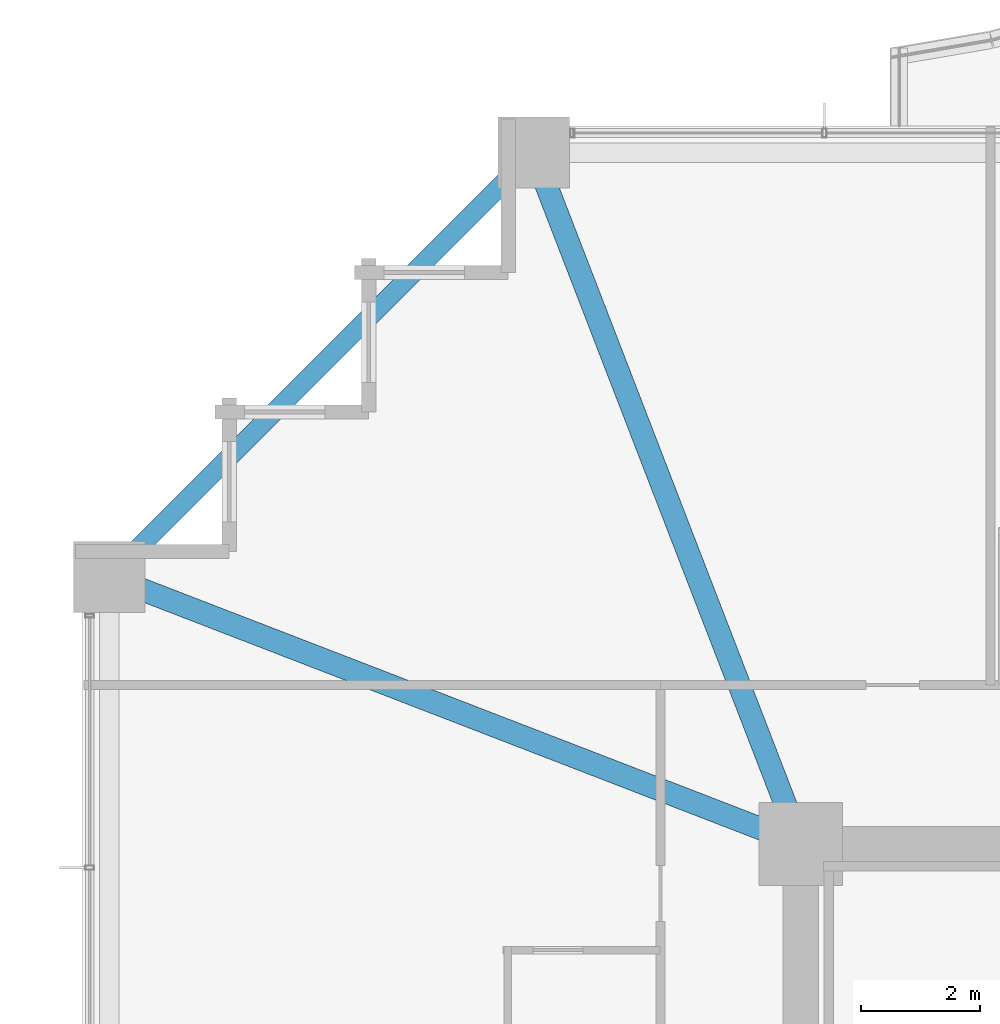
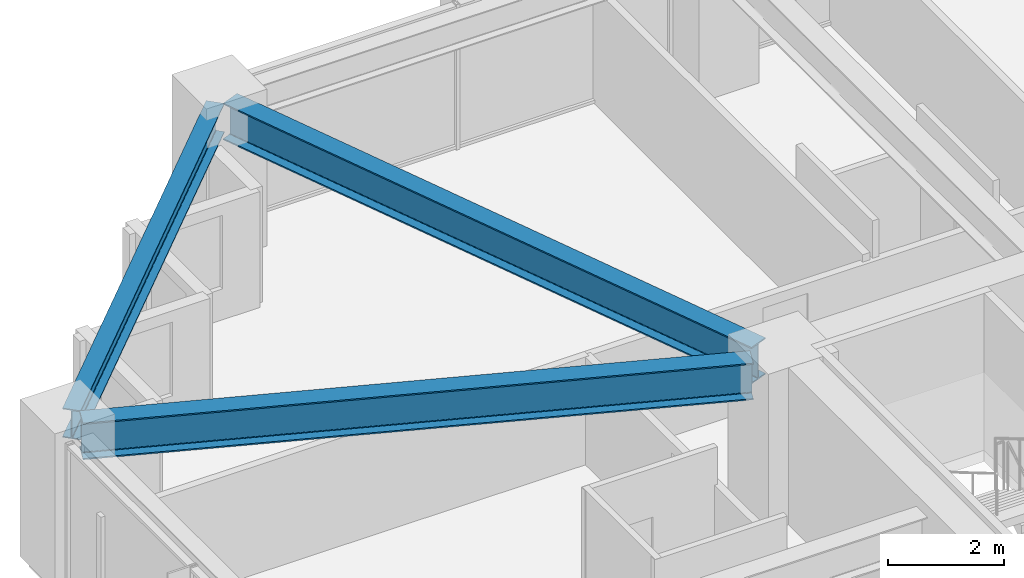
# One storey, part 17 of 38: 3 beams.
"""IFC4 building model written with IfcOpenShell, lengths in metres."""

from ifc_helpers import new_model, si_unit, direction, frame, origin, origin_2d, place, context, subcontext, project, spatial, i_section, extrude, material, material_profile, profile_set, type_object, element, save


model = new_model("IFC4")

# Units and contexts
model_context = context("Model", 3, precision=1e-05, world=origin(), true_north=direction((0.0, 1.0)))
body_context = subcontext(model_context, "Body", "Model", "MODEL_VIEW")
ifc_project = project(units=[si_unit("LENGTHUNIT", "METRE"), si_unit("AREAUNIT", "SQUARE_METRE"), si_unit("VOLUMEUNIT", "CUBIC_METRE"), si_unit("PLANEANGLEUNIT", "RADIAN"), si_unit("MASSUNIT", "GRAM", prefix="KILO")], contexts=[model_context])

# Site, building, storey
site_placement = place(None, origin())
site = spatial("IfcSite", under=ifc_project, at=site_placement, CompositionType="ELEMENT")
building_placement = place(site_placement, origin())
building = spatial("IfcBuilding", under=site, at=building_placement, Name="Kolvaren Belvedere", CompositionType="ELEMENT")
storey_placement = place(building_placement, frame((0.0, 0.0, 50.199951171875)))
storey = spatial("IfcBuildingStorey", under=building, at=storey_placement, Name="L14", CompositionType="ELEMENT", Elevation=50.199951171875)

# Beams
ifc_material_1 = material(Name="Structural steel ASTM A992 Grade 50", Category="steel")
ifc_material_profile_1 = material_profile(ifc_material_1, i_section(OverallWidth=0.381103515625, OverallDepth=0.77294921875, WebThickness=0.0166015625, FlangeThickness=0.027099609375, FilletRadius=0.02392578125, at=origin_2d()), Name="W30X173")
ifc_profile_set_1 = profile_set([ifc_material_profile_1], Name="Structural steel ASTM A992 Grade 50")
beam_type_1 = type_object("IfcBeamType", Name="BM-GIRD-W30X173", PredefinedType="BEAM", material=ifc_profile_set_1)
for number, where, z_axis, x_axis, name in (
    (1, (-10.09814453125, 10.4130859375, 2.673583984375), (-0.360318391835, 0.932829382313, 0.0), (-0.932829382313, -0.360318391835, 0.0), "L14 Corner Core-to-Perimeter Girder CC4-N1"),
    (2, (-10.4130859375, 10.09814453125, 2.673583984375), (-0.932829382313, 0.360318391835, 0.0), (-0.360318391835, -0.932829382313, 0.0), "L14 Corner Core-to-Perimeter Girder CC4-W4"),
):
    element("IfcBeam", number, at=place(storey_placement, frame(where, z_axis=z_axis, x_axis=x_axis)), inside=storey, type_object=beam_type_1, Name=name, PredefinedType="BEAM", context=body_context, shape_type="SweptSolid", body=[
        extrude(i_section(OverallWidth=0.381103515625, OverallDepth=0.77294921875, WebThickness=0.0166015625, FlangeThickness=0.027099609375, FilletRadius=0.02392578125, at=origin_2d()), origin(), (0.0, 0.0, 1.0), 11.698974609375),
    ])
ifc_material_2 = material(Name="Structural steel ASTM A992 Grade 50", Category="steel")
ifc_material_profile_2 = material_profile(ifc_material_2, i_section(OverallWidth=0.324951171875, OverallDepth=0.615966796875, WebThickness=0.013916015625, FlangeThickness=0.021484375, FilletRadius=0.02001953125, at=origin_2d()), Name="W24X117")
ifc_profile_set_2 = profile_set([ifc_material_profile_2], Name="Structural steel ASTM A992 Grade 50")
beam_type_2 = type_object("IfcBeamType", Name="BM-SPAN-W24X117", PredefinedType="SPANDREL", material=ifc_profile_set_2)
beam_placement = place(storey_placement, frame((-14.5908203125, 21.359130859375, 2.751953125), z_axis=(-0.707106781187, -0.707106781187, 0.0), x_axis=(0.707106781187, -0.707106781187, 0.0)))
element("IfcBeam", 3, at=beam_placement, inside=storey, type_object=beam_type_2, Name="L14 Perimeter Spandrel N1-W4", PredefinedType="SPANDREL", context=body_context, shape_type="SweptSolid", body=[
    extrude(i_section(OverallWidth=0.324951171875, OverallDepth=0.615966796875, WebThickness=0.013916015625, FlangeThickness=0.021484375, FilletRadius=0.02001953125, at=origin_2d()), origin(), (0.0, 0.0, 1.0), 9.57177734375),
])

save(model, "model.ifc")
